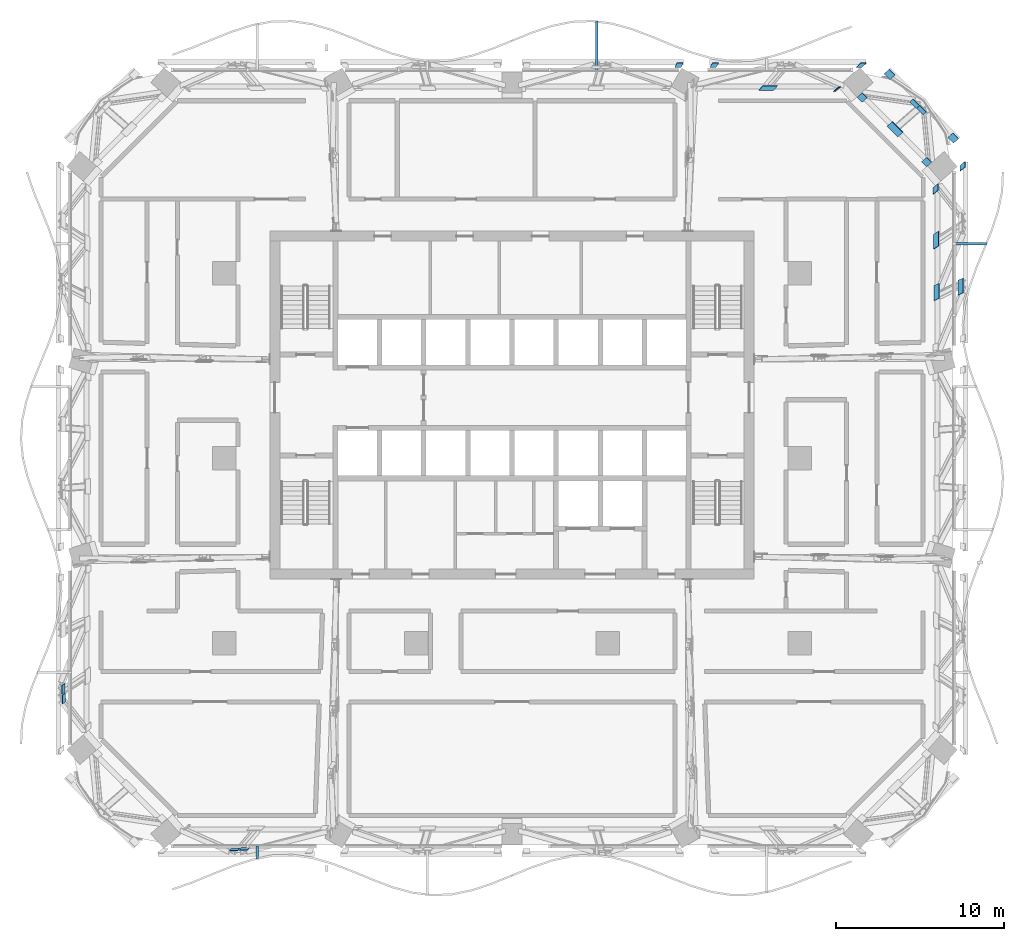
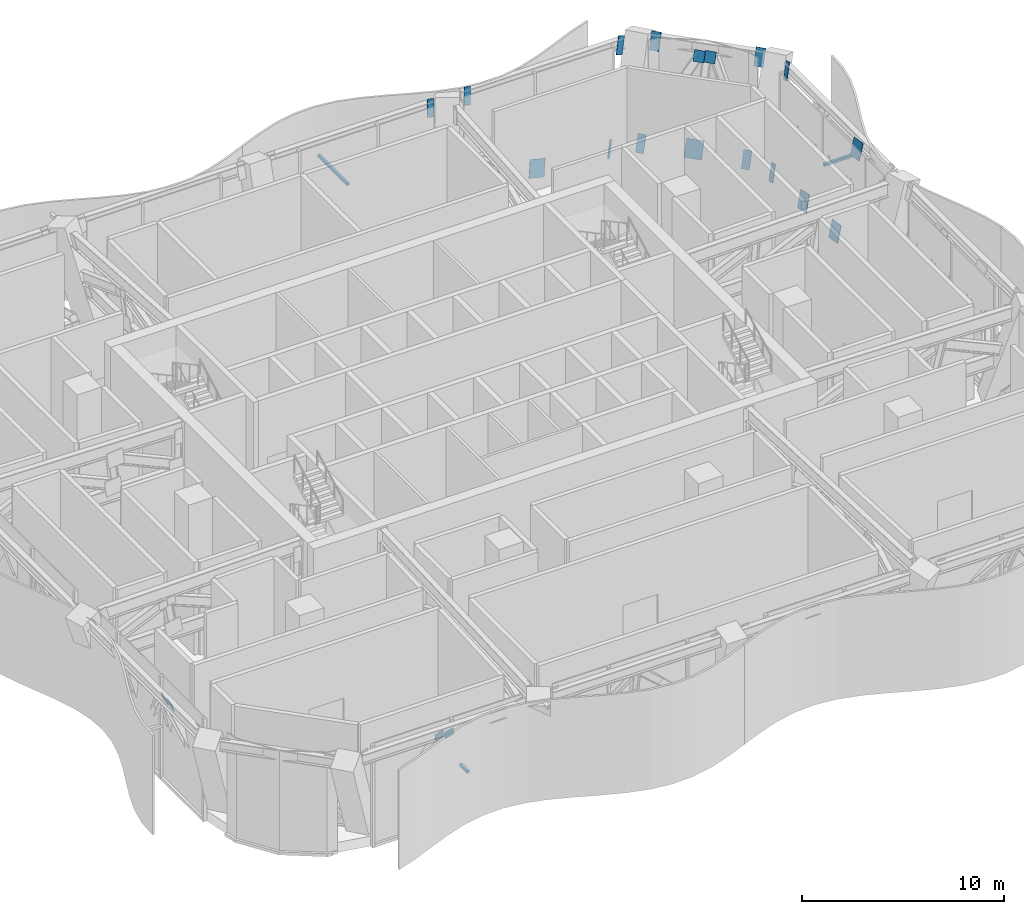
# One storey, part 16 of 26: 24 discrete accessories.
"""IFC4 building model written with IfcOpenShell, lengths in metres."""

from ifc_helpers import new_model, si_unit, direction, frame, origin, origin_2d, place, context, subcontext, project, spatial, rectangle, extrude, material, layer, layer_set, type_object, element, save


model = new_model("IFC4")

# Units and contexts
model_context = context("Model", 3, precision=1e-05, world=origin(), true_north=direction((0.0, 1.0)))
body_context = subcontext(model_context, "Body", "Model", "MODEL_VIEW")
ifc_project = project(units=[si_unit("LENGTHUNIT", "METRE"), si_unit("AREAUNIT", "SQUARE_METRE"), si_unit("VOLUMEUNIT", "CUBIC_METRE"), si_unit("PLANEANGLEUNIT", "RADIAN"), si_unit("MASSUNIT", "GRAM", prefix="KILO")], contexts=[model_context])

# Site, building, storey
site_placement = place(None, origin())
site = spatial("IfcSite", under=ifc_project, at=site_placement, CompositionType="ELEMENT")
building_placement = place(site_placement, origin())
building = spatial("IfcBuilding", under=site, at=building_placement, Name="Mopane Tessera Tower", CompositionType="ELEMENT")
storey_placement = place(building_placement, frame((0.0, 0.0, 205.0)))
storey = spatial("IfcBuildingStorey", under=building, at=storey_placement, Name="L43", CompositionType="ELEMENT", Elevation=205.0)

# Discrete accessories
ifc_material_1 = material(Name="Stainless steel S316", Category="steel")
discrete_accessory_type_1 = type_object("IfcDiscreteAccessoryType", Name="Louvre bracket 150 x 150", PredefinedType="BRACKET", material=ifc_material_1)
discrete_accessory_1_placement = place(storey_placement, frame((-15.14990234375, -23.4326171875, 2.51513671875), z_axis=(0.0, 0.0, 1.0), x_axis=(0.0, -1.0, 0.0)))
element("IfcDiscreteAccessory", 1, at=discrete_accessory_1_placement, inside=storey, type_object=discrete_accessory_type_1, Name="e:lv:L43:S:0:br0", PredefinedType="BRACKET", context=body_context, shape_type="SweptSolid", body=[
    extrude(rectangle(XDim=0.7451171875, YDim=0.14990234375, at=origin_2d()), origin(), (0.0, 0.0, 1.0), 0.14990234375),
])
discrete_accessory_2_placement = place(storey_placement, frame((27.234130859375, 12.75, 2.51513671875), z_axis=(0.0, 0.0, 1.0), x_axis=(1.0, 0.0, 0.0)))
element("IfcDiscreteAccessory", 2, at=discrete_accessory_2_placement, inside=storey, type_object=discrete_accessory_type_1, Name="e:lv:L43:E:1:br1", PredefinedType="BRACKET", context=body_context, shape_type="SweptSolid", body=[
    extrude(rectangle(XDim=1.948486328125, YDim=0.14990234375, at=origin_2d()), origin(), (0.0, 0.0, 1.0), 0.14990234375),
])
discrete_accessory_3_placement = place(storey_placement, frame((5.050048828125, 24.516845703125, 2.51513671875), z_axis=(0.0, 0.0, 1.0), x_axis=(0.0, 1.0, 0.0)))
element("IfcDiscreteAccessory", 3, at=discrete_accessory_3_placement, inside=storey, type_object=discrete_accessory_type_1, Name="e:lv:L43:N:0:br1", PredefinedType="BRACKET", context=body_context, shape_type="SweptSolid", body=[
    extrude(rectangle(XDim=2.913818359375, YDim=0.14990234375, at=origin_2d()), origin(), (0.0, 0.0, 1.0), 0.14990234375),
])
ifc_material_2 = material(Name="Structural steel S460", Category="steel")
ifc_layer = layer(ifc_material_2, 0.030029296875)
ifc_layer_set = layer_set([ifc_layer], Name="Structural steel S460")
discrete_accessory_type_2 = type_object("IfcDiscreteAccessoryType", Name="Truss node plate 30 mm", PredefinedType="BRACKET", material=ifc_layer_set)
discrete_accessory_4_placement = place(storey_placement, frame((-16.4228515625, -23.194580078125, 4.669677734375), z_axis=(-0.235003905386, -0.271965684679, 0.9331708476), x_axis=(-0.065630280446, 0.962306633962, 0.263929173306)))
element("IfcDiscreteAccessory", 4, at=discrete_accessory_4_placement, inside=storey, type_object=discrete_accessory_type_2, Name="Truss node plate s bt L43 S0-S1 2", PredefinedType="BRACKET", context=body_context, shape_type="SweptSolid", body=[
    extrude(rectangle(XDim=0.030029296875, YDim=0.499267578125, at=origin_2d()), origin(), (0.0, 0.0, 1.0), 0.534912109375),
])
discrete_accessory_5_placement = place(storey_placement, frame((-15.862548828125, -23.1767578125, 4.609130859375), z_axis=(-0.227318680569, -0.272599464023, 0.934888094736), x_axis=(-0.0645016117, 0.962127602391, 0.264858488263)))
element("IfcDiscreteAccessory", 5, at=discrete_accessory_5_placement, inside=storey, type_object=discrete_accessory_type_2, Name="Truss node plate s bt L43 S0-S1 4", PredefinedType="BRACKET", context=body_context, shape_type="SweptSolid", body=[
    extrude(rectangle(XDim=0.030029296875, YDim=0.499267578125, at=origin_2d()), origin(), (0.0, 0.0, 1.0), 0.53369140625),
])
discrete_accessory_6_placement = place(storey_placement, frame((26.527587890625, 10.12060546875, 4.4853515625), z_axis=(0.312597732563, 0.151084664884, 0.93779319769), x_axis=(-0.949885560871, 0.050012275486, 0.308571213092)))
element("IfcDiscreteAccessory", 6, at=discrete_accessory_6_placement, inside=storey, type_object=discrete_accessory_type_2, Name="Truss node plate s bt L43 E2-E3 2", PredefinedType="BRACKET", context=body_context, shape_type="SweptSolid", body=[
    extrude(rectangle(XDim=0.030029296875, YDim=0.89990234375, at=origin_2d()), origin(), (0.0, 0.0, 1.0), 0.9599609375),
])
discrete_accessory_7_placement = place(storey_placement, frame((25.1025390625, 9.800048828125, 0.21044921875), z_axis=(0.312304018227, 0.157041402168, 0.93691205468), x_axis=(-0.94998218524, 0.051399649972, 0.30804532736)))
element("IfcDiscreteAccessory", 7, at=discrete_accessory_7_placement, inside=storey, type_object=discrete_accessory_type_2, Name="Truss node plate s bt L43 E2-E3 3", PredefinedType="BRACKET", context=body_context, shape_type="SweptSolid", body=[
    extrude(rectangle(XDim=0.030029296875, YDim=0.89990234375, at=origin_2d()), origin(), (0.0, 0.0, 1.0), 0.960693359375),
])
discrete_accessory_8_placement = place(storey_placement, frame((25.089111328125, 12.86474609375, 0.169921875), z_axis=(0.309559699619, 0.204274138642, 0.928679098857), x_axis=(-0.95087998129, 0.066739286844, 0.302279884832)))
element("IfcDiscreteAccessory", 8, at=discrete_accessory_8_placement, inside=storey, type_object=discrete_accessory_type_2, Name="Truss node plate s bt L43 E2-E3 5", PredefinedType="BRACKET", context=body_context, shape_type="SweptSolid", body=[
    extrude(rectangle(XDim=0.030029296875, YDim=0.89990234375, at=origin_2d()), origin(), (0.0, 0.0, 1.0), 0.96923828125),
])
discrete_accessory_9_placement = place(storey_placement, frame((25.05224609375, 15.884033203125, 0.0595703125), z_axis=(0.306265350978, 0.249946417438, 0.918546854113), x_axis=(-0.951946117065, 0.080772490042, 0.295422401075)))
element("IfcDiscreteAccessory", 9, at=discrete_accessory_9_placement, inside=storey, type_object=discrete_accessory_type_2, Name="Truss node plate s bt L43 E2-E3 7", PredefinedType="BRACKET", context=body_context, shape_type="SweptSolid", body=[
    extrude(rectangle(XDim=0.030029296875, YDim=0.406494140625, at=origin_2d()), origin(), (0.0, 0.0, 1.0), 0.979736328125),
])
discrete_accessory_10_placement = place(storey_placement, frame((26.645751953125, 17.218994140625, 4.840087890625), z_axis=(0.306227167778, 0.250413591226, 0.918432335583), x_axis=(-0.951958408727, 0.080889122832, 0.295350872458)))
element("IfcDiscreteAccessory", 10, at=discrete_accessory_10_placement, inside=storey, type_object=discrete_accessory_type_2, Name="Truss node plate s bt L43 E2-E3 8", PredefinedType="BRACKET", context=body_context, shape_type="SweptSolid", body=[
    extrude(rectangle(XDim=0.030029296875, YDim=0.34423828125, at=origin_2d()), origin(), (0.0, 0.0, 1.0), 0.979736328125),
])
discrete_accessory_11_placement = place(storey_placement, frame((24.516357421875, 17.479736328125, 0.052490234375), z_axis=(0.304558302803, 0.266612520776, 0.914418943351), x_axis=(-0.638310608004, -0.65542962011, 0.403697387645)))
element("IfcDiscreteAccessory", 11, at=discrete_accessory_11_placement, inside=storey, type_object=discrete_accessory_type_2, Name="Truss node plate s bt L43 E3-N0 0", PredefinedType="BRACKET", context=body_context, shape_type="SweptSolid", body=[
    extrude(rectangle(XDim=0.030029296875, YDim=0.416259765625, at=origin_2d()), origin(), (0.0, 0.0, 1.0), 0.984375),
])
discrete_accessory_12_placement = place(storey_placement, frame((26.0859375, 18.902099609375, 4.840087890625), z_axis=(0.304852408885, 0.266652839342, 0.914309177504), x_axis=(-0.638492556559, -0.655099995462, 0.403944613981)))
element("IfcDiscreteAccessory", 12, at=discrete_accessory_12_placement, inside=storey, type_object=discrete_accessory_type_2, Name="Truss node plate s bt L43 E3-N0 1", PredefinedType="BRACKET", context=body_context, shape_type="SweptSolid", body=[
    extrude(rectangle(XDim=0.030029296875, YDim=0.489990234375, at=origin_2d()), origin(), (0.0, 0.0, 1.0), 0.984130859375),
])
discrete_accessory_13_placement = place(storey_placement, frame((24.26953125, 20.609130859375, 4.6650390625), z_axis=(0.305008152946, 0.266781537471, 0.914219687986), x_axis=(-0.638434539417, -0.655032303697, 0.404146037953)))
element("IfcDiscreteAccessory", 13, at=discrete_accessory_13_placement, inside=storey, type_object=discrete_accessory_type_2, Name="Truss node plate s bt L43 E3-N0 2", PredefinedType="BRACKET", context=body_context, shape_type="SweptSolid", body=[
    extrude(rectangle(XDim=0.030029296875, YDim=0.5546875, at=origin_2d()), origin(), (0.0, 0.0, 1.0), 0.606689453125),
])
discrete_accessory_14_placement = place(storey_placement, frame((22.63818359375, 19.43115234375, 0.169921875), z_axis=(0.304783284444, 0.266592376548, 0.914349853333), x_axis=(-0.638523091809, -0.655126704489, 0.403853020656)))
element("IfcDiscreteAccessory", 14, at=discrete_accessory_14_placement, inside=storey, type_object=discrete_accessory_type_2, Name="Truss node plate s bt L43 E3-N0 3", PredefinedType="BRACKET", context=body_context, shape_type="SweptSolid", body=[
    extrude(rectangle(XDim=0.030029296875, YDim=0.89990234375, at=origin_2d()), origin(), (0.0, 0.0, 1.0), 0.984375),
])
discrete_accessory_15_placement = place(storey_placement, frame((23.85791015625, 20.997314453125, 4.627685546875), z_axis=(0.304755267631, 0.2669124735, 0.914265802894), x_axis=(-0.638040447328, -0.655480161495, 0.404042257023)))
element("IfcDiscreteAccessory", 15, at=discrete_accessory_15_placement, inside=storey, type_object=discrete_accessory_type_2, Name="Truss node plate s bt L43 E3-N0 4", PredefinedType="BRACKET", context=body_context, shape_type="SweptSolid", body=[
    extrude(rectangle(XDim=0.030029296875, YDim=0.5546875, at=origin_2d()), origin(), (0.0, 0.0, 1.0), 0.6064453125),
])
discrete_accessory_16_placement = place(storey_placement, frame((20.681884765625, 21.314208984375, 0.052490234375), z_axis=(0.304783284444, 0.266592376548, 0.914349853333), x_axis=(-0.638523091809, -0.655126704489, 0.403853020656)))
element("IfcDiscreteAccessory", 16, at=discrete_accessory_16_placement, inside=storey, type_object=discrete_accessory_type_2, Name="Truss node plate s bt L43 E3-N0 5", PredefinedType="BRACKET", context=body_context, shape_type="SweptSolid", body=[
    extrude(rectangle(XDim=0.030029296875, YDim=0.416259765625, at=origin_2d()), origin(), (0.0, 0.0, 1.0), 0.984375),
])
discrete_accessory_17_placement = place(storey_placement, frame((22.3037109375, 22.684326171875, 4.840087890625), z_axis=(0.304832237653, 0.266883228409, 0.914248680219), x_axis=(-0.638145226429, -0.655354393467, 0.404080795076)))
element("IfcDiscreteAccessory", 17, at=discrete_accessory_17_placement, inside=storey, type_object=discrete_accessory_type_2, Name="Truss node plate s bt L43 E3-N0 6", PredefinedType="BRACKET", context=body_context, shape_type="SweptSolid", body=[
    extrude(rectangle(XDim=0.030029296875, YDim=0.489990234375, at=origin_2d()), origin(), (0.0, 0.0, 1.0), 0.984375),
])
discrete_accessory_18_placement = place(storey_placement, frame((19.19775390625, 21.8134765625, -0.0654296875), z_axis=(0.291261551796, 0.267841033517, 0.918383301901), x_axis=(0.080924919225, -0.963463117442, 0.255323282875)))
element("IfcDiscreteAccessory", 18, at=discrete_accessory_18_placement, inside=storey, type_object=discrete_accessory_type_2, Name="Truss node plate s bt L43 N0-N1 0", PredefinedType="BRACKET", context=body_context, shape_type="SweptSolid", body=[
    extrude(rectangle(XDim=0.030029296875, YDim=0.122314453125, at=origin_2d()), origin(), (0.0, 0.0, 1.0), 0.97998046875),
])
discrete_accessory_19_placement = place(storey_placement, frame((20.630615234375, 23.244140625, 4.840087890625), z_axis=(0.289892551992, 0.267957431979, 0.918782413277), x_axis=(0.080179549136, -0.963430646182, 0.255680718666)))
element("IfcDiscreteAccessory", 19, at=discrete_accessory_19_placement, inside=storey, type_object=discrete_accessory_type_2, Name="Truss node plate s bt L43 N0-N1 1", PredefinedType="BRACKET", context=body_context, shape_type="SweptSolid", body=[
    extrude(rectangle(XDim=0.030029296875, YDim=0.350830078125, at=origin_2d()), origin(), (0.0, 0.0, 1.0), 0.9794921875),
])
discrete_accessory_20_placement = place(storey_placement, frame((15.121337890625, 21.882080078125, 0.169921875), z_axis=(0.232241351768, 0.272256764613, 0.933777387096), x_axis=(0.065795997042, -0.962224634434, 0.264186751486)))
element("IfcDiscreteAccessory", 20, at=discrete_accessory_20_placement, inside=storey, type_object=discrete_accessory_type_2, Name="Truss node plate s bt L43 N0-N1 3", PredefinedType="BRACKET", context=body_context, shape_type="SweptSolid", body=[
    extrude(rectangle(XDim=0.030029296875, YDim=0.89990234375, at=origin_2d()), origin(), (0.0, 0.0, 1.0), 0.9638671875),
])
discrete_accessory_21_placement = place(storey_placement, frame((11.94775390625, 23.244140625, 4.840087890625), z_axis=(0.172648404171, 0.27577568274, 0.945589922401), x_axis=(0.049475849014, -0.961222018936, 0.271301254468)))
element("IfcDiscreteAccessory", 21, at=discrete_accessory_21_placement, inside=storey, type_object=discrete_accessory_type_2, Name="Truss node plate s bt L43 N0-N1 6", PredefinedType="BRACKET", context=body_context, shape_type="SweptSolid", body=[
    extrude(rectangle(XDim=0.030029296875, YDim=0.37255859375, at=origin_2d()), origin(), (0.0, 0.0, 1.0), 0.95166015625),
])
discrete_accessory_22_placement = place(storey_placement, frame((9.865966796875, 23.244140625, 4.840087890625), z_axis=(0.14306097607, 0.277100088784, 0.950131095124), x_axis=(0.04176472503, -0.960840932825, 0.273935046228)))
element("IfcDiscreteAccessory", 22, at=discrete_accessory_22_placement, inside=storey, type_object=discrete_accessory_type_2, Name="Truss node plate s bt L43 N1-N2 1", PredefinedType="BRACKET", context=body_context, shape_type="SweptSolid", body=[
    extrude(rectangle(XDim=0.030029296875, YDim=0.37255859375, at=origin_2d()), origin(), (0.0, 0.0, 1.0), 0.947021484375),
])
discrete_accessory_23_placement = place(storey_placement, frame((-26.588623046875, -13.654541015625, 4.668212890625), z_axis=(-0.309485084596, -0.201583528075, 0.929291699964), x_axis=(0.950904202774, -0.065172675065, 0.302545400842)))
element("IfcDiscreteAccessory", 23, at=discrete_accessory_23_placement, inside=storey, type_object=discrete_accessory_type_2, Name="Truss node plate s bt L43 W2-W3 4", PredefinedType="BRACKET", context=body_context, shape_type="SweptSolid", body=[
    extrude(rectangle(XDim=0.030029296875, YDim=0.542724609375, at=origin_2d()), origin(), (0.0, 0.0, 1.0), 0.583740234375),
])
discrete_accessory_24_placement = place(storey_placement, frame((-26.572265625, -14.2373046875, 4.61962890625), z_axis=(-0.309304290958, -0.209959592917, 0.927495458176), x_axis=(0.950963116085, -0.068378610629, 0.301651317674)))
element("IfcDiscreteAccessory", 24, at=discrete_accessory_24_placement, inside=storey, type_object=discrete_accessory_type_2, Name="Truss node plate s bt L43 W2-W3 6", PredefinedType="BRACKET", context=body_context, shape_type="SweptSolid", body=[
    extrude(rectangle(XDim=0.030029296875, YDim=0.542724609375, at=origin_2d()), origin(), (0.0, 0.0, 1.0), 0.5849609375),
])

save(model, "model.ifc")
